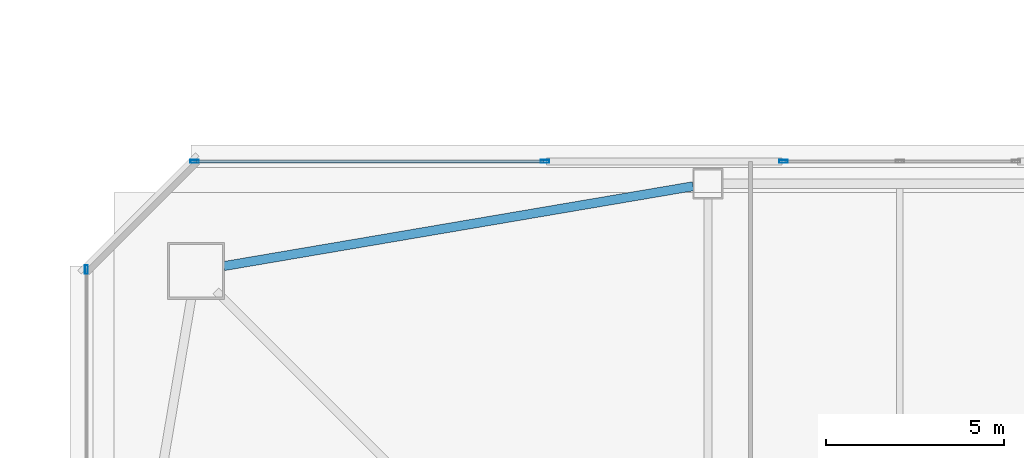
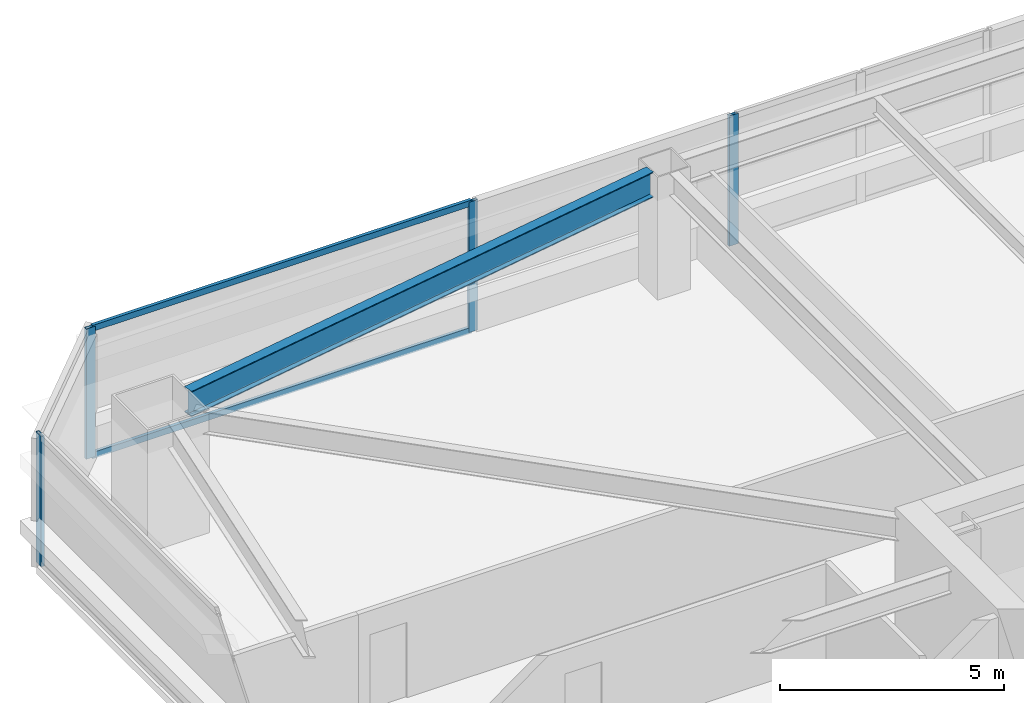
# One storey, part 13 of 46: 6 members, 1 beam, 3 elements without a shape of their own.
"""IFC4 building model written with IfcOpenShell, lengths in metres."""

from ifc_helpers import new_model, si_unit, direction, frame, origin, origin_2d, place, context, subcontext, project, spatial, hollow_rectangle, i_section, extrude, material, material_profile, profile_set, type_object, element, aggregate, save


model = new_model("IFC4")

# Units and contexts
model_context = context("Model", 3, precision=1e-05, world=origin(), true_north=direction((0.0, 1.0)))
body_context = subcontext(model_context, "Body", "Model", "MODEL_VIEW")
ifc_project = project(units=[si_unit("LENGTHUNIT", "METRE"), si_unit("AREAUNIT", "SQUARE_METRE"), si_unit("VOLUMEUNIT", "CUBIC_METRE"), si_unit("PLANEANGLEUNIT", "RADIAN"), si_unit("MASSUNIT", "GRAM", prefix="KILO")], contexts=[model_context])

# Site, building, storey
site_placement = place(None, origin())
site = spatial("IfcSite", under=ifc_project, at=site_placement, CompositionType="ELEMENT")
building_placement = place(site_placement, origin())
building = spatial("IfcBuilding", under=site, at=building_placement, Name="Tashvorn Skyway Center", CompositionType="ELEMENT")
storey_placement = place(building_placement, frame((0.0, 0.0, 38.800048828125)))
storey = spatial("IfcBuildingStorey", under=building, at=storey_placement, Name="L09", CompositionType="ELEMENT", Elevation=38.800048828125)

# Beam
ifc_material_1 = material(Name="Steel ASTM A992 Grade 50", Category="steel")
ifc_material_profile_1 = material_profile(ifc_material_1, i_section(OverallWidth=0.256103515625, OverallDepth=0.693115234375, WebThickness=0.014404296875, FlangeThickness=0.023681640625, at=origin_2d()), Name="W27X114")
ifc_profile_set_1 = profile_set([ifc_material_profile_1], Name="Steel ASTM A992 Grade 50")
beam_type = type_object("IfcBeamType", Name="BM-SPANDREL-W27X114", PredefinedType="SPANDREL", material=ifc_profile_set_1)
beam_placement = place(storey_placement, frame((36.18603515625, 54.179443359375, 3.00341796875), z_axis=(-0.985835025551, -0.16771792509, 0.0), x_axis=(0.16771792509, -0.985835025551, 0.0)))
element("IfcBeam", 1, at=beam_placement, inside=storey, type_object=beam_type, Name="Tower 1 L09 Spandrel Beam 09", PredefinedType="SPANDREL", context=body_context, shape_type="SweptSolid", body=[
    extrude(i_section(OverallWidth=0.256103515625, OverallDepth=0.693115234375, WebThickness=0.014404296875, FlangeThickness=0.023681640625, at=origin_2d()), origin(), (0.0, 0.0, 1.0), 13.39208984375),
])

# Curtain wall, member
ifc_material_2 = material(Name="Thermally broken bronze-anodized aluminium 6063-T6", Category="aluminium")
curtain_wall_type = type_object("IfcCurtainWallType", Name="CW-CW-Z1", PredefinedType="NOTDEFINED", material=ifc_material_2)
curtain_wall_1_placement = place(storey_placement, origin())
curtain_wall_1 = element("IfcCurtainWall", 2, at=curtain_wall_1_placement, inside=storey, type_object=curtain_wall_type, Name="Tower 1 L09 West Unitised Curtain Wall Glazing Group 3", PredefinedType="NOTDEFINED")
ifc_material_profile_2 = material_profile(ifc_material_2, hollow_rectangle(XDim=0.0849609375, YDim=0.239990234375, WallThickness=0.0048828125, at=origin_2d()), Name="ALU-MULL-85x240")
ifc_profile_set_2 = profile_set([ifc_material_profile_2], Name="Thermally broken bronze-anodized aluminium 6063-T6")
member_type_1 = type_object("IfcMemberType", Name="CWM-CW-Z1", PredefinedType="MULLION", material=ifc_profile_set_2)
member_1_placement = place(storey_placement, frame((19.1201171875, 51.83740234375, 0.0), z_axis=(0.0, 0.0, 1.0), x_axis=(-1.0, 0.0, 0.0)))
member_1 = element("IfcMember", 3, at=member_1_placement, type_object=member_type_1, Name="CW-Z1 mullion 2", PredefinedType="MULLION", context=body_context, shape_type="SweptSolid", body=[
    extrude(hollow_rectangle(XDim=0.0849609375, YDim=0.239990234375, WallThickness=0.0048828125, at=origin_2d()), origin(), (0.0, 0.0, 1.0), 3.550048828125),
])
aggregate(curtain_wall_1, [member_1])

# Curtain wall, members
curtain_wall_2_placement = place(storey_placement, origin())
curtain_wall_2 = element("IfcCurtainWall", 4, at=curtain_wall_2_placement, inside=storey, type_object=curtain_wall_type, Name="Tower 1 L09 North Unitised Curtain Wall Glazing Group 1", PredefinedType="NOTDEFINED")
member_2_placement = place(storey_placement, frame((22.16259765625, 54.8798828125, 0.0), z_axis=(0.0, 0.0, 1.0), x_axis=(0.0, 1.0, 0.0)))
member_2 = element("IfcMember", 5, at=member_2_placement, type_object=member_type_1, Name="CW-Z1 mullion 1", PredefinedType="MULLION", context=body_context, shape_type="SweptSolid", body=[
    extrude(hollow_rectangle(XDim=0.0849609375, YDim=0.239990234375, WallThickness=0.0048828125, at=origin_2d()), origin(), (0.0, 0.0, 1.0), 3.550048828125),
])
member_3_placement = place(storey_placement, frame((32.017578125, 54.8798828125, 0.0), z_axis=(0.0, 0.0, 1.0), x_axis=(0.0, 1.0, 0.0)))
member_3 = element("IfcMember", 6, at=member_3_placement, type_object=member_type_1, Name="CW-Z1 mullion 2", PredefinedType="MULLION", context=body_context, shape_type="SweptSolid", body=[
    extrude(hollow_rectangle(XDim=0.0849609375, YDim=0.239990234375, WallThickness=0.0048828125, at=origin_2d()), origin(), (0.0, 0.0, 1.0), 3.550048828125),
])

# Curtain wall, member
curtain_wall_3_placement = place(storey_placement, origin())
curtain_wall_3 = element("IfcCurtainWall", 7, at=curtain_wall_3_placement, inside=storey, type_object=curtain_wall_type, Name="Tower 1 L09 North Unitised Curtain Wall Glazing Group 2", PredefinedType="NOTDEFINED")
member_4_placement = place(storey_placement, frame((38.729248046875, 54.8798828125, 0.0), z_axis=(0.0, 0.0, 1.0), x_axis=(0.0, 1.0, 0.0)))
member_4 = element("IfcMember", 8, at=member_4_placement, type_object=member_type_1, Name="CW-Z1 mullion 1", PredefinedType="MULLION", context=body_context, shape_type="SweptSolid", body=[
    extrude(hollow_rectangle(XDim=0.0849609375, YDim=0.239990234375, WallThickness=0.0048828125, at=origin_2d()), origin(), (0.0, 0.0, 1.0), 3.550048828125),
])
aggregate(curtain_wall_3, [member_4])

# Member
ifc_material_profile_3 = material_profile(ifc_material_2, hollow_rectangle(XDim=0.0849609375, YDim=0.1650390625, WallThickness=0.0048828125, at=origin_2d()), Name="ALU-TRAN-85x165")
ifc_profile_set_3 = profile_set([ifc_material_profile_3], Name="Thermally broken bronze-anodized aluminium 6063-T6")
member_type_2 = type_object("IfcMemberType", Name="CWT-CW-Z1", PredefinedType="USERDEFINED", material=ifc_profile_set_3)
member_5_placement = place(storey_placement, frame((22.205078125, 54.8798828125, 0.04248046875), z_axis=(1.0, 0.0, 0.0), x_axis=(0.0, 1.0, 0.0)))
member_5 = element("IfcMember", 9, at=member_5_placement, type_object=member_type_2, Name="CW-Z1 transom 1.1", ObjectType="TRANSOM", PredefinedType="USERDEFINED", context=body_context, shape_type="SweptSolid", body=[
    extrude(hollow_rectangle(XDim=0.0849609375, YDim=0.1650390625, WallThickness=0.0048828125, at=origin_2d()), origin(), (0.0, 0.0, 1.0), 9.77001953125),
])

member_6_placement = place(storey_placement, frame((22.205078125, 54.8798828125, 3.507568359375), z_axis=(1.0, 0.0, 0.0), x_axis=(0.0, 1.0, 0.0)))
member_6 = element("IfcMember", 10, at=member_6_placement, type_object=member_type_2, Name="CW-Z1 transom 1.2", ObjectType="TRANSOM", PredefinedType="USERDEFINED", context=body_context, shape_type="SweptSolid", body=[
    extrude(hollow_rectangle(XDim=0.0849609375, YDim=0.1650390625, WallThickness=0.0048828125, at=origin_2d()), origin(), (0.0, 0.0, 1.0), 9.77001953125),
])

aggregate(curtain_wall_2, [member_2, member_3, member_5, member_6])

save(model, "model.ifc")
